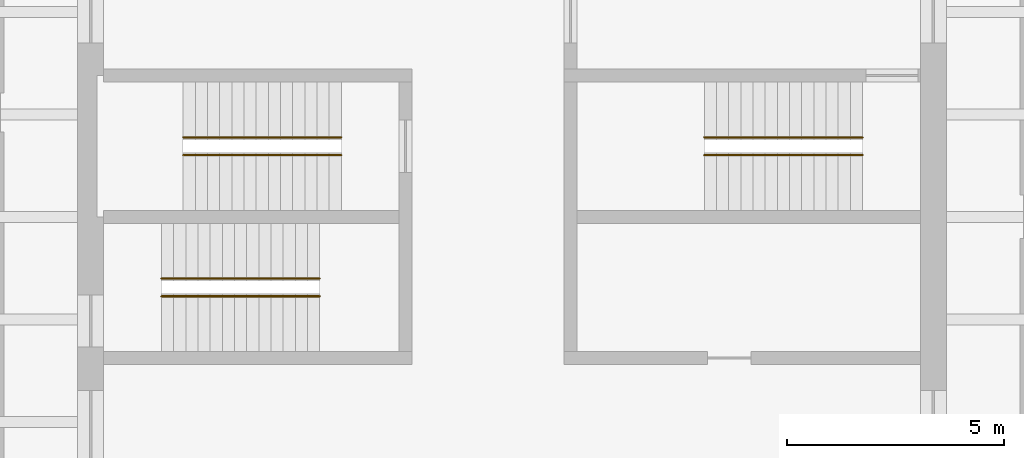
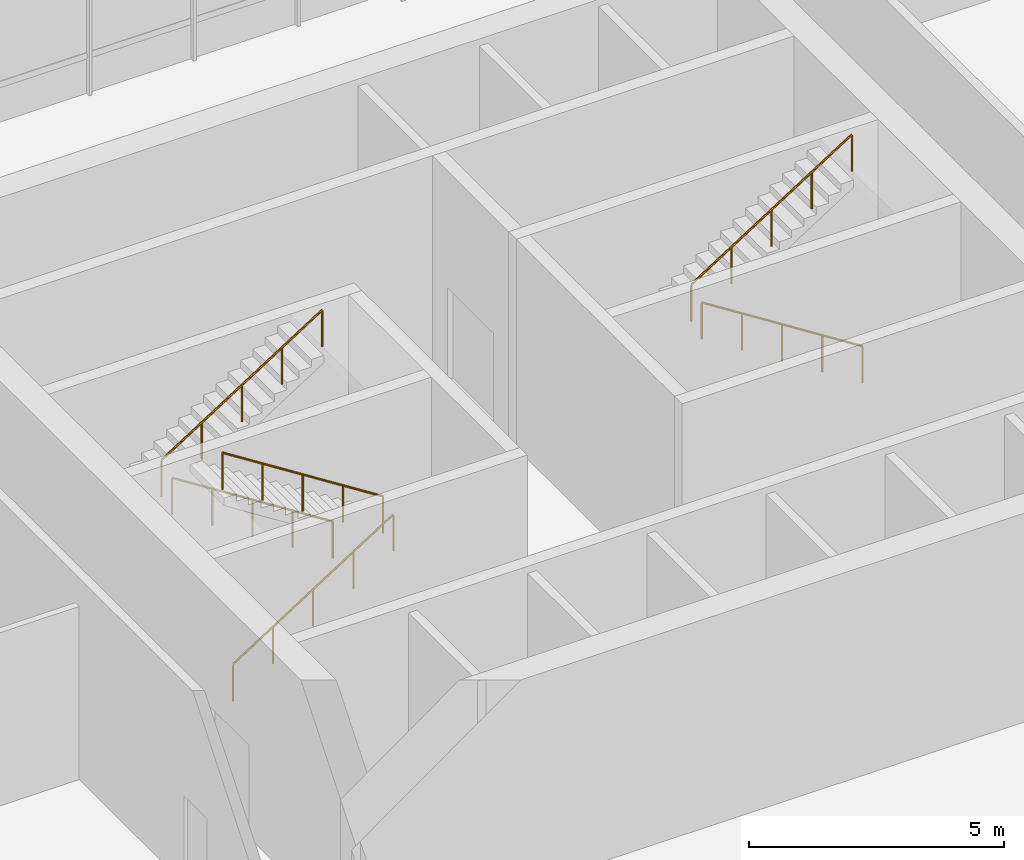
# One storey, part 15 of 15: 6 railings.
"""IFC4 building model written with IfcOpenShell, lengths in metres."""

from ifc_helpers import new_model, si_unit, direction, frame, origin, origin_2d, place, context, subcontext, project, spatial, circle, extrude, material, type_object, element, save


model = new_model("IFC4")

# Units and contexts
model_context = context("Model", 3, precision=1e-05, world=origin(), true_north=direction((0.0, 1.0)))
body_context = subcontext(model_context, "Body", "Model", "MODEL_VIEW")
ifc_project = project(units=[si_unit("LENGTHUNIT", "METRE"), si_unit("AREAUNIT", "SQUARE_METRE"), si_unit("VOLUMEUNIT", "CUBIC_METRE"), si_unit("PLANEANGLEUNIT", "RADIAN"), si_unit("MASSUNIT", "GRAM", prefix="KILO")], contexts=[model_context])

# Site, building, storey
site_placement = place(None, origin())
site = spatial("IfcSite", under=ifc_project, at=site_placement, CompositionType="ELEMENT")
building_placement = place(site_placement, origin())
building = spatial("IfcBuilding", under=site, at=building_placement, Name="Turquesa Mirador Hotel Tower", CompositionType="ELEMENT")
storey_placement = place(building_placement, frame((0.0, 0.0, 261.699951171875)))
storey = spatial("IfcBuildingStorey", under=building, at=storey_placement, Name="L71", CompositionType="ELEMENT", Elevation=261.699951171875)

# Railings
ifc_material = material(Name="Painted steel handrail", Category="steel")
railing_type = type_object("IfcRailingType", Name="HANDRAIL 900 STEEL", PredefinedType="HANDRAIL", material=ifc_material)
railing_1_placement = place(storey_placement, frame((51.070068359375, 46.419921875, 0.1787109375)))
element("IfcRailing", 1, at=railing_1_placement, inside=storey, type_object=railing_type, Name="Handrail ST1", PredefinedType="HANDRAIL", context=body_context, shape_type="SweptSolid", body=[
    extrude(circle(Radius=0.02392578125, at=origin_2d()), frame((0.0, 0.0, 0.8759765625), z_axis=(-0.843153495434, 0.0, 0.537672933239), x_axis=(0.0, -1.0, 0.0)), (0.0, 0.0, 1.0), 4.3173828125),
    extrude(circle(Radius=0.02099609375, at=origin_2d()), origin(), (0.0, 0.0, 1.0), 0.851806640625),
    extrude(circle(Radius=0.02099609375, at=origin_2d()), frame((-0.91015625, 0.0, 0.580322265625)), (0.0, 0.0, 1.0), 0.851806640625),
    extrude(circle(Radius=0.02099609375, at=origin_2d()), frame((-1.820068359375, 0.0, 1.16064453125)), (0.0, 0.0, 1.0), 0.851806640625),
    extrude(circle(Radius=0.02099609375, at=origin_2d()), frame((-2.72998046875, 0.0, 1.740966796875)), (0.0, 0.0, 1.0), 0.851806640625),
    extrude(circle(Radius=0.02099609375, at=origin_2d()), frame((-3.64013671875, 0.0, 2.3212890625)), (0.0, 0.0, 1.0), 0.851806640625),
])
for number, where, name in (
    (2, (47.429931640625, 46.830078125, 2.6787109375), "Handrail ST1"),
    (3, (46.929931640625, 43.169921875, 0.1787109375), "Handrail ST2"),
):
    element("IfcRailing", number, at=place(storey_placement, frame(where)), inside=storey, type_object=railing_type, Name=name, PredefinedType="HANDRAIL", context=body_context, shape_type="SweptSolid", body=[
        extrude(circle(Radius=0.02392578125, at=origin_2d()), frame((0.0, 0.0, 0.8759765625), z_axis=(0.843153495434, 0.0, 0.537672933239), x_axis=(0.0, 1.0, 0.0)), (0.0, 0.0, 1.0), 4.3173828125),
        extrude(circle(Radius=0.02099609375, at=origin_2d()), origin(), (0.0, 0.0, 1.0), 0.851806640625),
        extrude(circle(Radius=0.02099609375, at=origin_2d()), frame((0.91015625, 0.0, 0.580322265625)), (0.0, 0.0, 1.0), 0.851806640625),
        extrude(circle(Radius=0.02099609375, at=origin_2d()), frame((1.820068359375, 0.0, 1.16064453125)), (0.0, 0.0, 1.0), 0.851806640625),
        extrude(circle(Radius=0.02099609375, at=origin_2d()), frame((2.72998046875, 0.0, 1.740966796875)), (0.0, 0.0, 1.0), 0.851806640625),
        extrude(circle(Radius=0.02099609375, at=origin_2d()), frame((3.64013671875, 0.0, 2.3212890625)), (0.0, 0.0, 1.0), 0.851806640625),
    ])
for number, where, name in (
    (4, (50.570068359375, 43.580078125, 2.6787109375), "Handrail ST2"),
    (5, (63.070068359375, 46.419921875, 0.1787109375), "Handrail ST3"),
):
    element("IfcRailing", number, at=place(storey_placement, frame(where)), inside=storey, type_object=railing_type, Name=name, PredefinedType="HANDRAIL", context=body_context, shape_type="SweptSolid", body=[
        extrude(circle(Radius=0.02392578125, at=origin_2d()), frame((0.0, 0.0, 0.8759765625), z_axis=(-0.843153495434, 0.0, 0.537672933239), x_axis=(0.0, -1.0, 0.0)), (0.0, 0.0, 1.0), 4.3173828125),
        extrude(circle(Radius=0.02099609375, at=origin_2d()), origin(), (0.0, 0.0, 1.0), 0.851806640625),
        extrude(circle(Radius=0.02099609375, at=origin_2d()), frame((-0.91015625, 0.0, 0.580322265625)), (0.0, 0.0, 1.0), 0.851806640625),
        extrude(circle(Radius=0.02099609375, at=origin_2d()), frame((-1.820068359375, 0.0, 1.16064453125)), (0.0, 0.0, 1.0), 0.851806640625),
        extrude(circle(Radius=0.02099609375, at=origin_2d()), frame((-2.72998046875, 0.0, 1.740966796875)), (0.0, 0.0, 1.0), 0.851806640625),
        extrude(circle(Radius=0.02099609375, at=origin_2d()), frame((-3.64013671875, 0.0, 2.3212890625)), (0.0, 0.0, 1.0), 0.851806640625),
    ])
railing_2_placement = place(storey_placement, frame((59.429931640625, 46.830078125, 2.6787109375)))
element("IfcRailing", 6, at=railing_2_placement, inside=storey, type_object=railing_type, Name="Handrail ST3", PredefinedType="HANDRAIL", context=body_context, shape_type="SweptSolid", body=[
    extrude(circle(Radius=0.02392578125, at=origin_2d()), frame((0.0, 0.0, 0.8759765625), z_axis=(0.843153495434, 0.0, 0.537672933239), x_axis=(0.0, 1.0, 0.0)), (0.0, 0.0, 1.0), 4.3173828125),
    extrude(circle(Radius=0.02099609375, at=origin_2d()), origin(), (0.0, 0.0, 1.0), 0.851806640625),
    extrude(circle(Radius=0.02099609375, at=origin_2d()), frame((0.91015625, 0.0, 0.580322265625)), (0.0, 0.0, 1.0), 0.851806640625),
    extrude(circle(Radius=0.02099609375, at=origin_2d()), frame((1.820068359375, 0.0, 1.16064453125)), (0.0, 0.0, 1.0), 0.851806640625),
    extrude(circle(Radius=0.02099609375, at=origin_2d()), frame((2.72998046875, 0.0, 1.740966796875)), (0.0, 0.0, 1.0), 0.851806640625),
    extrude(circle(Radius=0.02099609375, at=origin_2d()), frame((3.64013671875, 0.0, 2.3212890625)), (0.0, 0.0, 1.0), 0.851806640625),
])

save(model, "model.ifc")
